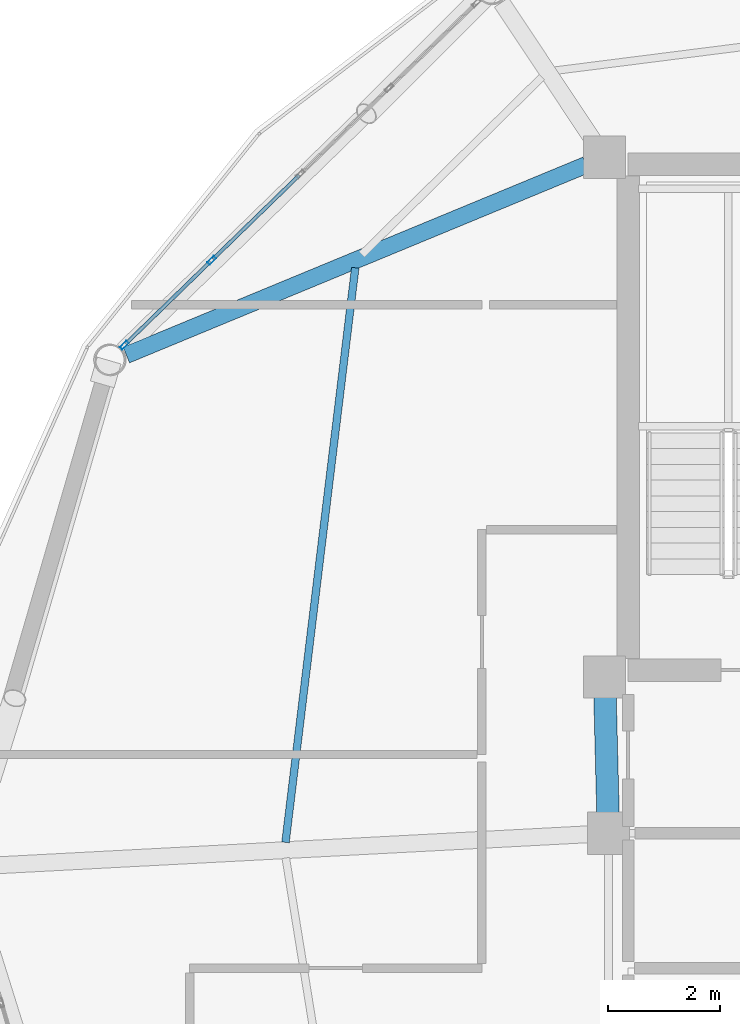
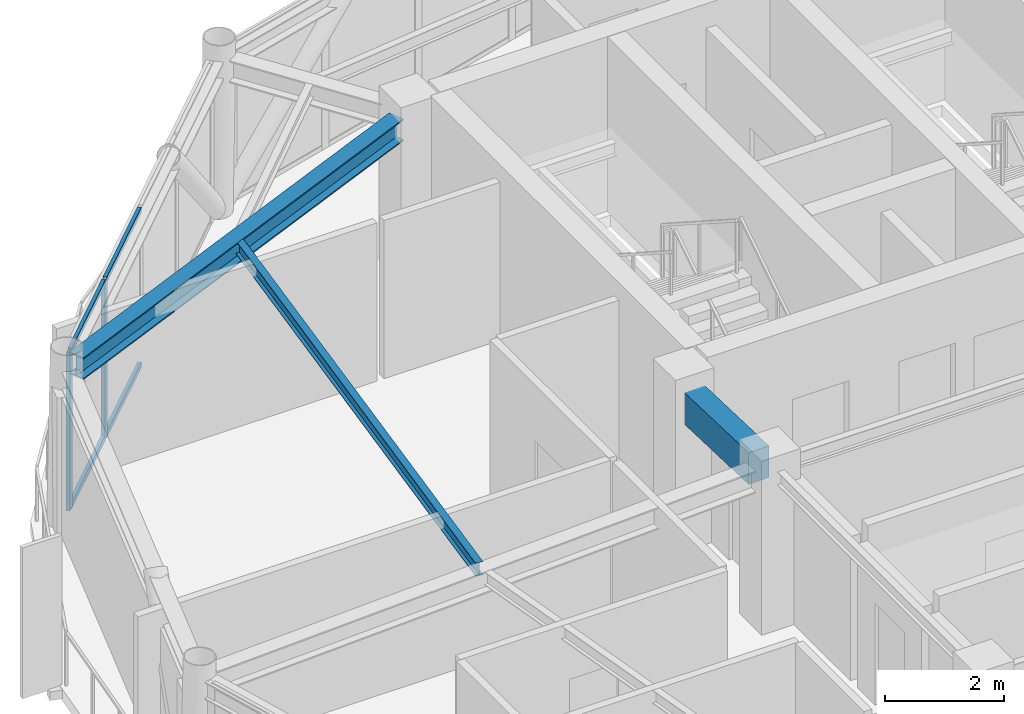
# One storey, part 12 of 28: 6 members, 3 beams, 1 element without a shape of its own.
"""IFC4 building model written with IfcOpenShell, lengths in metres."""

import ifcopenshell
import ifcopenshell.guid

model = None  # the IFC model being written
_history = None  # IfcOwnerHistory: only IFC2X3 demands one
_inside = {}  # id of a spatial element -> (the spatial element, [elements in it])
_under = {}  # id of a project, library or spatial element -> (it, [spatial elements below it])
_declared = {}  # id of a project -> (the project, [libraries it declares])
_typed = {}  # id of a type object -> (the type object, [elements of that type])
_made_of = {}  # id of a material, layer set ... -> (it, [elements and type objects made of it])


def new_model(schema):
    """Start an empty IFC model of exactly this schema.

    Asked for "IFC4X3", IfcOpenShell would pick the latest addendum, in which some entities
    have other attributes; the version numbers below select the first issue.
    IFC2X3 requires an IfcOwnerHistory on every rooted entity: one is made here for all.
    """
    global model, _history
    if schema == "IFC4X3":
        model = ifcopenshell.file(schema_version=(4, 3, 0, 0))
    else:
        model = ifcopenshell.file(schema=schema)
    _inside.clear()
    _under.clear()
    _declared.clear()
    _typed.clear()
    _made_of.clear()
    _history = None
    if model.schema == "IFC2X3":
        org = make("IfcOrganization", Name="unknown")
        user = make(
            "IfcPersonAndOrganization",
            ThePerson=make("IfcPerson", FamilyName="unknown"),
            TheOrganization=org,
        )
        app = make(
            "IfcApplication",
            ApplicationDeveloper=org,
            Version="unknown",
            ApplicationFullName="unknown",
            ApplicationIdentifier="unknown",
        )
        _history = make(
            "IfcOwnerHistory",
            OwningUser=user,
            OwningApplication=app,
            ChangeAction="ADDED",
            CreationDate=0,
        )
    return model


def make(cls, **values):
    """One entity of the class cls with the attributes given. An attribute that is None is left unset."""
    return model.create_entity(
        cls, **{name: value for name, value in values.items() if value is not None}
    )


def rooted(cls, **values):
    """An entity with a GlobalId (a new one), such as an element, a storey or a relation."""
    return make(cls, GlobalId=ifcopenshell.guid.new(), OwnerHistory=_history, **values)


def si_unit(unit_type, name, prefix=None):
    """IfcSIUnit, for example si_unit("LENGTHUNIT", "METRE", prefix="MILLI")."""
    return make("IfcSIUnit", UnitType=unit_type, Prefix=prefix, Name=name)


def assignment(units):
    """IfcUnitAssignment: the units of a project."""
    return None if units is None else make("IfcUnitAssignment", Units=units)


def point(xyz):
    """IfcCartesianPoint."""
    return None if xyz is None else make("IfcCartesianPoint", Coordinates=xyz)


def direction(xyz):
    """IfcDirection."""
    return None if xyz is None else make("IfcDirection", DirectionRatios=xyz)


def frame(location, z_axis=None, x_axis=None):
    """IfcAxis2Placement3D, a coordinate frame: its origin and axes. An axis left out is left unset."""
    return make(
        "IfcAxis2Placement3D",
        Location=point(location),
        Axis=direction(z_axis),
        RefDirection=direction(x_axis),
    )


def frame_2d(location, x_axis=None):
    """IfcAxis2Placement2D, a coordinate frame in the plane: its origin and x axis."""
    return make(
        "IfcAxis2Placement2D", Location=point(location), RefDirection=direction(x_axis)
    )


def origin():
    """The frame at (0, 0, 0) with its axes left unset."""
    return frame((0.0, 0.0, 0.0))


def origin_2d():
    """The frame at (0, 0) in the plane with its x axis left unset."""
    return frame_2d((0.0, 0.0))


def place(relative_to, where):
    """IfcLocalPlacement: puts the frame where relative to a parent placement (None: the world)."""
    return make(
        "IfcLocalPlacement", PlacementRelTo=relative_to, RelativePlacement=where
    )


def context(
    kind, dimensions, precision=None, world=None, true_north=None, identifier=None
):
    """IfcGeometricRepresentationContext, for example the 3D "Model" context."""
    return make(
        "IfcGeometricRepresentationContext",
        ContextIdentifier=identifier,
        ContextType=kind,
        CoordinateSpaceDimension=dimensions,
        Precision=precision,
        WorldCoordinateSystem=world,
        TrueNorth=true_north,
    )


def subcontext(parent, identifier, kind, view, scale=None):
    """IfcGeometricRepresentationSubContext, for example "Body" below "Model"."""
    return make(
        "IfcGeometricRepresentationSubContext",
        ContextIdentifier=identifier,
        ContextType=kind,
        ParentContext=parent,
        TargetScale=scale,
        TargetView=view,
    )


def project(units=None, contexts=None):
    """IfcProject with its units and contexts."""
    return rooted(
        "IfcProject",
        Name="project",
        RepresentationContexts=contexts,
        UnitsInContext=assignment(units),
    )


def spatial(cls, under=None, at=None, **own):
    """A site, building, storey or space (cls), placed at a placement, below another one or the project."""
    s = rooted(cls, ObjectPlacement=at, **own)
    if under is not None:
        _under.setdefault(under.id(), (under, []))[1].append(s)
    return s


def profile(cls, at=None, kind="AREA", **sizes):
    """A parametric profile (cls). Its sizes go by their IFC names, for example OverallWidth=200.0."""
    return make(cls, ProfileType=kind, Position=at, **sizes)


def rectangle(**sizes):
    """IfcRectangleProfileDef."""
    return profile("IfcRectangleProfileDef", **sizes)


def hollow_rectangle(**sizes):
    """IfcRectangleHollowProfileDef."""
    return profile("IfcRectangleHollowProfileDef", **sizes)


def i_section(**sizes):
    """IfcIShapeProfileDef."""
    return profile("IfcIShapeProfileDef", **sizes)


def extrude(swept, where, along, depth):
    """IfcExtrudedAreaSolid: the profile swept, set in the frame where, extruded along a direction by depth."""
    return make(
        "IfcExtrudedAreaSolid",
        SweptArea=swept,
        Position=where,
        ExtrudedDirection=direction(along),
        Depth=depth,
    )


def shape(context_of_items, identifier, shape_type, items):
    """IfcShapeRepresentation: the items that make up one representation, for example the "Body"."""
    return make(
        "IfcShapeRepresentation",
        ContextOfItems=context_of_items,
        RepresentationIdentifier=identifier,
        RepresentationType=shape_type,
        Items=items,
    )


def material(Name=None, Category=None):
    """IfcMaterial."""
    return make("IfcMaterial", Name=Name, Category=Category)


def layer(
    of_material, thickness, ventilated=None, Name=None, Category=None, Priority=None
):
    """IfcMaterialLayer: one layer of a wall or slab, of a material (None: an air gap)."""
    return make(
        "IfcMaterialLayer",
        Material=of_material,
        LayerThickness=thickness,
        IsVentilated=ventilated,
        Name=Name,
        Category=Category,
        Priority=Priority,
    )


def layer_set(layers, Name=None):
    """IfcMaterialLayerSet."""
    return make("IfcMaterialLayerSet", MaterialLayers=layers, LayerSetName=Name)


def material_profile(
    of_material, cross_section, Name=None, Category=None, Priority=None
):
    """IfcMaterialProfile: a cross section and its material."""
    return make(
        "IfcMaterialProfile",
        Name=Name,
        Material=of_material,
        Profile=cross_section,
        Priority=Priority,
        Category=Category,
    )


def profile_set(profiles, Name=None, composite=None):
    """IfcMaterialProfileSet."""
    return make(
        "IfcMaterialProfileSet",
        Name=Name,
        MaterialProfiles=profiles,
        CompositeProfile=composite,
    )


def made_of(thing, what):
    """Note that an element or type object is made of a material, layer set ...; save() writes the relation."""
    if what is not None:
        _made_of.setdefault(what.id(), (what, []))[1].append(thing)
    return thing


def type_object(cls, material=None, **own):
    """A type object (cls), such as IfcWallType, which elements share."""
    return made_of(rooted(cls, **own), material)


def element(
    cls,
    number,
    at=None,
    inside=None,
    cuts=None,
    type_object=None,
    material=None,
    context=None,
    identifier="Body",
    shape_type=None,
    held_by="IfcProductDefinitionShape",
    body=None,
    shapes=None,
    **own,
):
    """One element of the class cls, such as IfcWall. Its Tag is "e" and its number.

    at: its placement. inside: the storey or other place that contains it. cuts: it is an
    opening in that element (IfcRelVoidsElement). A single representation is given by context,
    identifier, shape_type and body (its items); several are given by shapes. held_by: the class
    of the entity that holds the representations. save() writes the other relations.
    """
    e = rooted(cls, Tag="e%d" % number, ObjectPlacement=at, **own)
    if body is not None:
        shapes = [shape(context, identifier, shape_type, body)]
    if shapes is not None:
        e.Representation = make(held_by, Representations=shapes)
    if inside is not None:
        _inside.setdefault(inside.id(), (inside, []))[1].append(e)
    if cuts is not None:
        rooted(
            "IfcRelVoidsElement", RelatingBuildingElement=cuts, RelatedOpeningElement=e
        )
    if type_object is not None:
        _typed.setdefault(type_object.id(), (type_object, []))[1].append(e)
    return made_of(e, material)


def aggregate(whole, parts):
    """IfcRelAggregates: a whole, such as a stair, and the parts it consists of."""
    return rooted("IfcRelAggregates", RelatingObject=whole, RelatedObjects=parts)


def save(model, path):
    """Write the relations noted so far, then the file.

    IfcRelAggregates (storeys below a building ...), IfcRelContainedInSpatialStructure (elements
    in a storey), IfcRelDefinesByType, IfcRelAssociatesMaterial and IfcRelDeclares: one each for
    every whole, place, type object, material and project.
    """
    for whole, parts in _under.values():
        aggregate(whole, parts)
    for where, things in _inside.values():
        rooted(
            "IfcRelContainedInSpatialStructure",
            RelatedElements=things,
            RelatingStructure=where,
        )
    for kind, things in _typed.values():
        rooted("IfcRelDefinesByType", RelatedObjects=things, RelatingType=kind)
    for what, things in _made_of.values():
        rooted("IfcRelAssociatesMaterial", RelatedObjects=things, RelatingMaterial=what)
    for by, libraries in _declared.values():
        rooted("IfcRelDeclares", RelatingContext=by, RelatedDefinitions=libraries)
    model.write(path)


model = new_model("IFC4")

# Units and contexts
model_context = context("Model", 3, precision=1e-05, world=origin(), true_north=direction((0.0, 1.0)))
body_context = subcontext(model_context, "Body", "Model", "MODEL_VIEW")
ifc_project = project(units=[si_unit("LENGTHUNIT", "METRE"), si_unit("AREAUNIT", "SQUARE_METRE"), si_unit("VOLUMEUNIT", "CUBIC_METRE"), si_unit("PLANEANGLEUNIT", "RADIAN"), si_unit("MASSUNIT", "GRAM", prefix="KILO")], contexts=[model_context])

# Site, building, storey
site_placement = place(None, origin())
site = spatial("IfcSite", under=ifc_project, at=site_placement, CompositionType="ELEMENT")
building_placement = place(site_placement, origin())
building = spatial("IfcBuilding", under=site, at=building_placement, Name="Varnakorn Sky Granary", CompositionType="ELEMENT")
storey_placement = place(building_placement, frame((0.0, 0.0, 236.39990234375)))
storey = spatial("IfcBuildingStorey", under=building, at=storey_placement, Name="L60", CompositionType="ELEMENT", Elevation=236.39990234375)

# Beams
ifc_material_1 = material(Name="Concrete C50/60", Category="concrete")
ifc_material_profile_1 = material_profile(ifc_material_1, rectangle(XDim=0.39990234375, YDim=0.64990234375, at=origin_2d()), Name="RC 400x650")
ifc_profile_set_1 = profile_set([ifc_material_profile_1], Name="Concrete C50/60")
beam_type_1 = type_object("IfcBeamType", Name="BM-LIN-650", PredefinedType="LINTEL", material=ifc_profile_set_1)
beam_1_placement = place(storey_placement, frame((-2.4111328125, 3.025146484375, 2.925048828125), z_axis=(0.025227817192, -0.999681727971, 0.0), x_axis=(0.999681727971, 0.025227817192, 0.0)))
element("IfcBeam", 1, at=beam_1_placement, inside=storey, type_object=beam_type_1, Name="Core Spine Framing Beam 1 L60", PredefinedType="LINTEL", context=body_context, shape_type="SweptSolid", body=[
    extrude(rectangle(XDim=0.39990234375, YDim=0.64990234375, at=origin_2d()), origin(), (0.0, 0.0, 1.0), 2.071044921875),
])
ifc_material_2 = material(Name="Steel S355JR", Category="steel")
ifc_material_profile_2 = material_profile(ifc_material_2, i_section(OverallWidth=0.300048828125, OverallDepth=0.449951171875, WebThickness=0.013916015625, FlangeThickness=0.02587890625, at=origin_2d()), Name="HE 450 B")
ifc_profile_set_2 = profile_set([ifc_material_profile_2], Name="Steel S355JR")
beam_type_2 = type_object("IfcBeamType", Name="BM-RAD-Z5", PredefinedType="BEAM", material=ifc_profile_set_2)
beam_2_placement = place(storey_placement, frame((-2.748046875, 12.484375, 3.025146484375), z_axis=(-0.924101530335, -0.382147041899, 0.0), x_axis=(0.382147041899, -0.924101530335, 0.0)))
element("IfcBeam", 2, at=beam_2_placement, inside=storey, type_object=beam_type_2, Name="Radial Floor Girder RG06 L60", PredefinedType="BEAM", context=body_context, shape_type="SweptSolid", body=[
    extrude(i_section(OverallWidth=0.300048828125, OverallDepth=0.449951171875, WebThickness=0.013916015625, FlangeThickness=0.02587890625, at=origin_2d()), origin(), (0.0, 0.0, 1.0), 8.846923828125),
])
ifc_material_profile_3 = material_profile(ifc_material_2, i_section(OverallWidth=0.135009765625, OverallDepth=0.27001953125, WebThickness=0.006591796875, FlangeThickness=0.01025390625, at=origin_2d()), Name="IPE 270")
ifc_profile_set_3 = profile_set([ifc_material_profile_3], Name="Steel S355JR")
beam_type_3 = type_object("IfcBeamType", Name="BM-SEC-Z5", PredefinedType="BEAM", material=ifc_profile_set_3)
beam_3_placement = place(storey_placement, frame((-6.852783203125, 10.655029296875, 3.114990234375), z_axis=(-0.120557316203, -0.992706368223, 0.0), x_axis=(0.992706368223, -0.120557316203, 0.0)))
element("IfcBeam", 3, at=beam_3_placement, inside=storey, type_object=beam_type_3, Name="Secondary Floor Chord Beam MSB06 L60", PredefinedType="BEAM", context=body_context, shape_type="SweptSolid", body=[
    extrude(i_section(OverallWidth=0.135009765625, OverallDepth=0.27001953125, WebThickness=0.006591796875, FlangeThickness=0.01025390625, at=origin_2d()), origin(), (0.0, 0.0, 1.0), 10.293701171875),
])

# Curtain wall, members
ifc_material_3 = material(Name="Anodised Bronze Aluminium Alloy 6063-T6", Category="aluminium")
ifc_layer = layer(ifc_material_3, 0.159912109375, Name="Anodised Bronze Aluminium Alloy 6063-T6")
ifc_layer_set = layer_set([ifc_layer], Name="Anodised Bronze Aluminium Alloy 6063-T6")
curtain_wall_type = type_object("IfcCurtainWallType", Name="CW-OFF-1", PredefinedType="USERDEFINED", material=ifc_layer_set)
curtain_wall_placement = place(storey_placement, origin())
curtain_wall = element("IfcCurtainWall", 4, at=curtain_wall_placement, inside=storey, type_object=curtain_wall_type, Name="Unitised Curtain Wall CW6 CW-L60-B05", ObjectType="CURTAIN WALL", PredefinedType="USERDEFINED")
ifc_material_profile_4 = material_profile(ifc_material_3, hollow_rectangle(XDim=0.06494140625, YDim=0.159912109375, WallThickness=0.00341796875, at=origin_2d()), Name="ALU MULL 65x160")
ifc_profile_set_4 = profile_set([ifc_material_profile_4], Name="Anodised Bronze Aluminium Alloy 6063-T6")
member_type_1 = type_object("IfcMemberType", Name="CW-OFF-1-MULL", PredefinedType="MULLION", material=ifc_profile_set_4)
member_1_placement = place(storey_placement, frame((-10.959228515625, 9.27880859375, 0.0), z_axis=(0.0, 0.0, 1.0), x_axis=(-0.69691520137, 0.717153541509, 0.0)))
member_1 = element("IfcMember", 5, at=member_1_placement, type_object=member_type_1, Name="CW6 mullion 1", PredefinedType="MULLION", context=body_context, shape_type="SweptSolid", body=[
    extrude(hollow_rectangle(XDim=0.06494140625, YDim=0.159912109375, WallThickness=0.00341796875, at=origin_2d()), origin(), (0.0, 0.0, 1.0), 3.25),
])
member_2_placement = place(storey_placement, frame((-9.405517578125, 10.78857421875, 0.0), z_axis=(0.0, 0.0, 1.0), x_axis=(-0.69691520137, 0.717153541509, 0.0)))
member_2 = element("IfcMember", 6, at=member_2_placement, type_object=member_type_1, Name="CW6 mullion 2", PredefinedType="MULLION", context=body_context, shape_type="SweptSolid", body=[
    extrude(hollow_rectangle(XDim=0.06494140625, YDim=0.159912109375, WallThickness=0.00341796875, at=origin_2d()), origin(), (0.0, 0.0, 1.0), 3.25),
])
ifc_material_profile_5 = material_profile(ifc_material_3, hollow_rectangle(XDim=0.06494140625, YDim=0.1201171875, WallThickness=0.00341796875, at=origin_2d()), Name="ALU TRAN 65x120")
ifc_profile_set_5 = profile_set([ifc_material_profile_5], Name="Anodised Bronze Aluminium Alloy 6063-T6")
member_type_2 = type_object("IfcMemberType", Name="CW-OFF-1-TRAN", PredefinedType="USERDEFINED", material=ifc_profile_set_5)
member_3_placement = place(storey_placement, frame((-10.935791015625, 9.301513671875, 0.03271484375), z_axis=(0.717143312529, 0.696925727244, 0.0), x_axis=(-0.696925727244, 0.717143312529, 0.0)))
member_3 = element("IfcMember", 7, at=member_3_placement, type_object=member_type_2, Name="CW6 transom 1.1", ObjectType="TRANSOM", PredefinedType="USERDEFINED", context=body_context, shape_type="SweptSolid", body=[
    extrude(hollow_rectangle(XDim=0.06494140625, YDim=0.1201171875, WallThickness=0.00341796875, at=origin_2d()), origin(), (0.0, 0.0, 1.0), 2.10107421875),
])
member_4_placement = place(storey_placement, frame((-10.935791015625, 9.301513671875, 3.217529296875), z_axis=(0.717143312529, 0.696925727244, 0.0), x_axis=(-0.696925727244, 0.717143312529, 0.0)))
member_4 = element("IfcMember", 8, at=member_4_placement, type_object=member_type_2, Name="CW6 transom 1.2", ObjectType="TRANSOM", PredefinedType="USERDEFINED", context=body_context, shape_type="SweptSolid", body=[
    extrude(hollow_rectangle(XDim=0.06494140625, YDim=0.1201171875, WallThickness=0.00341796875, at=origin_2d()), origin(), (0.0, 0.0, 1.0), 2.10107421875),
])
member_5_placement = place(storey_placement, frame((-9.38232421875, 10.81103515625, 0.03271484375), z_axis=(0.71716010082, 0.696908451514, 0.0), x_axis=(-0.696908451514, 0.71716010082, 0.0)))
member_5 = element("IfcMember", 9, at=member_5_placement, type_object=member_type_2, Name="CW6 transom 2.1", ObjectType="TRANSOM", PredefinedType="USERDEFINED", context=body_context, shape_type="SweptSolid", body=[
    extrude(hollow_rectangle(XDim=0.06494140625, YDim=0.1201171875, WallThickness=0.00341796875, at=origin_2d()), origin(), (0.0, 0.0, 1.0), 2.1337890625),
])
member_6_placement = place(storey_placement, frame((-9.38232421875, 10.81103515625, 3.217529296875), z_axis=(0.71716010082, 0.696908451514, 0.0), x_axis=(-0.696908451514, 0.71716010082, 0.0)))
member_6 = element("IfcMember", 10, at=member_6_placement, type_object=member_type_2, Name="CW6 transom 2.2", ObjectType="TRANSOM", PredefinedType="USERDEFINED", context=body_context, shape_type="SweptSolid", body=[
    extrude(hollow_rectangle(XDim=0.06494140625, YDim=0.1201171875, WallThickness=0.00341796875, at=origin_2d()), origin(), (0.0, 0.0, 1.0), 2.1337890625),
])
aggregate(curtain_wall, [member_1, member_2, member_3, member_4, member_5, member_6])

save(model, "model.ifc")
